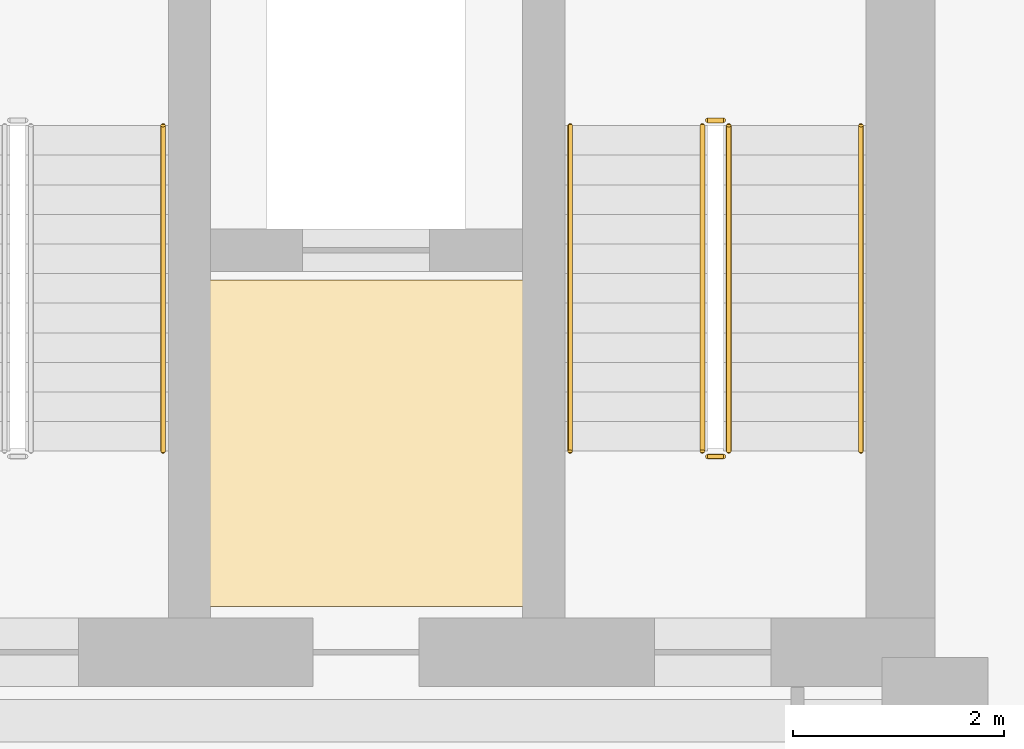
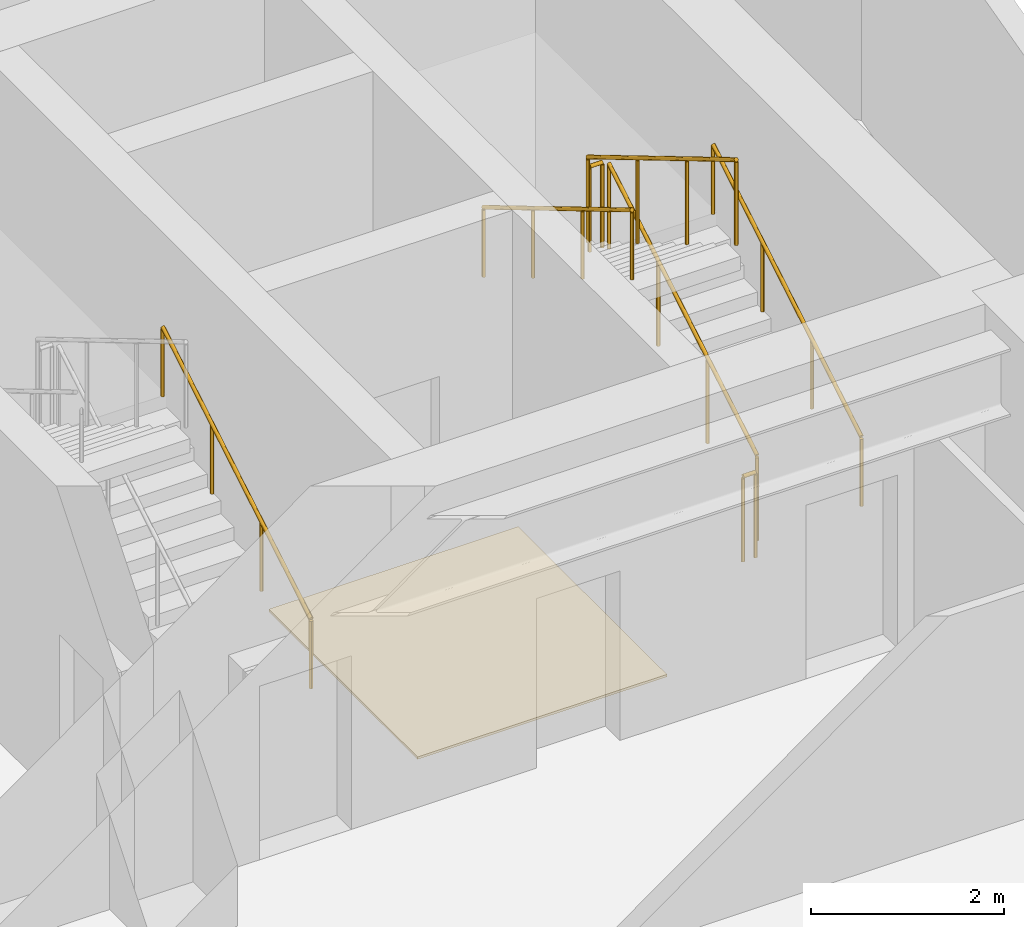
# One storey, part 26 of 26: 7 railings, 1 covering.
"""IFC4 building model written with IfcOpenShell, lengths in metres."""

import ifcopenshell
import ifcopenshell.guid

model = None  # the IFC model being written
_history = None  # IfcOwnerHistory: only IFC2X3 demands one
_inside = {}  # id of a spatial element -> (the spatial element, [elements in it])
_under = {}  # id of a project, library or spatial element -> (it, [spatial elements below it])
_declared = {}  # id of a project -> (the project, [libraries it declares])
_typed = {}  # id of a type object -> (the type object, [elements of that type])
_made_of = {}  # id of a material, layer set ... -> (it, [elements and type objects made of it])


def new_model(schema):
    """Start an empty IFC model of exactly this schema.

    Asked for "IFC4X3", IfcOpenShell would pick the latest addendum, in which some entities
    have other attributes; the version numbers below select the first issue.
    IFC2X3 requires an IfcOwnerHistory on every rooted entity: one is made here for all.
    """
    global model, _history
    if schema == "IFC4X3":
        model = ifcopenshell.file(schema_version=(4, 3, 0, 0))
    else:
        model = ifcopenshell.file(schema=schema)
    _inside.clear()
    _under.clear()
    _declared.clear()
    _typed.clear()
    _made_of.clear()
    _history = None
    if model.schema == "IFC2X3":
        org = make("IfcOrganization", Name="unknown")
        user = make(
            "IfcPersonAndOrganization",
            ThePerson=make("IfcPerson", FamilyName="unknown"),
            TheOrganization=org,
        )
        app = make(
            "IfcApplication",
            ApplicationDeveloper=org,
            Version="unknown",
            ApplicationFullName="unknown",
            ApplicationIdentifier="unknown",
        )
        _history = make(
            "IfcOwnerHistory",
            OwningUser=user,
            OwningApplication=app,
            ChangeAction="ADDED",
            CreationDate=0,
        )
    return model


def make(cls, **values):
    """One entity of the class cls with the attributes given. An attribute that is None is left unset."""
    return model.create_entity(
        cls, **{name: value for name, value in values.items() if value is not None}
    )


def rooted(cls, **values):
    """An entity with a GlobalId (a new one), such as an element, a storey or a relation."""
    return make(cls, GlobalId=ifcopenshell.guid.new(), OwnerHistory=_history, **values)


def si_unit(unit_type, name, prefix=None):
    """IfcSIUnit, for example si_unit("LENGTHUNIT", "METRE", prefix="MILLI")."""
    return make("IfcSIUnit", UnitType=unit_type, Prefix=prefix, Name=name)


def assignment(units):
    """IfcUnitAssignment: the units of a project."""
    return None if units is None else make("IfcUnitAssignment", Units=units)


def point(xyz):
    """IfcCartesianPoint."""
    return None if xyz is None else make("IfcCartesianPoint", Coordinates=xyz)


def direction(xyz):
    """IfcDirection."""
    return None if xyz is None else make("IfcDirection", DirectionRatios=xyz)


def frame(location, z_axis=None, x_axis=None):
    """IfcAxis2Placement3D, a coordinate frame: its origin and axes. An axis left out is left unset."""
    return make(
        "IfcAxis2Placement3D",
        Location=point(location),
        Axis=direction(z_axis),
        RefDirection=direction(x_axis),
    )


def frame_2d(location, x_axis=None):
    """IfcAxis2Placement2D, a coordinate frame in the plane: its origin and x axis."""
    return make(
        "IfcAxis2Placement2D", Location=point(location), RefDirection=direction(x_axis)
    )


def origin():
    """The frame at (0, 0, 0) with its axes left unset."""
    return frame((0.0, 0.0, 0.0))


def origin_2d():
    """The frame at (0, 0) in the plane with its x axis left unset."""
    return frame_2d((0.0, 0.0))


def place(relative_to, where):
    """IfcLocalPlacement: puts the frame where relative to a parent placement (None: the world)."""
    return make(
        "IfcLocalPlacement", PlacementRelTo=relative_to, RelativePlacement=where
    )


def context(
    kind, dimensions, precision=None, world=None, true_north=None, identifier=None
):
    """IfcGeometricRepresentationContext, for example the 3D "Model" context."""
    return make(
        "IfcGeometricRepresentationContext",
        ContextIdentifier=identifier,
        ContextType=kind,
        CoordinateSpaceDimension=dimensions,
        Precision=precision,
        WorldCoordinateSystem=world,
        TrueNorth=true_north,
    )


def subcontext(parent, identifier, kind, view, scale=None):
    """IfcGeometricRepresentationSubContext, for example "Body" below "Model"."""
    return make(
        "IfcGeometricRepresentationSubContext",
        ContextIdentifier=identifier,
        ContextType=kind,
        ParentContext=parent,
        TargetScale=scale,
        TargetView=view,
    )


def project(units=None, contexts=None):
    """IfcProject with its units and contexts."""
    return rooted(
        "IfcProject",
        Name="project",
        RepresentationContexts=contexts,
        UnitsInContext=assignment(units),
    )


def spatial(cls, under=None, at=None, **own):
    """A site, building, storey or space (cls), placed at a placement, below another one or the project."""
    s = rooted(cls, ObjectPlacement=at, **own)
    if under is not None:
        _under.setdefault(under.id(), (under, []))[1].append(s)
    return s


def polyline(points):
    """IfcPolyline through the points."""
    return make("IfcPolyline", Points=[point(p) for p in points])


def profile(cls, at=None, kind="AREA", **sizes):
    """A parametric profile (cls). Its sizes go by their IFC names, for example OverallWidth=200.0."""
    return make(cls, ProfileType=kind, Position=at, **sizes)


def circle(**sizes):
    """IfcCircleProfileDef."""
    return profile("IfcCircleProfileDef", **sizes)


def outline(outer, holes=None, kind="AREA"):
    """IfcArbitraryClosedProfileDef: a profile drawn as a closed curve; with holes, ...WithVoids."""
    if holes is None:
        return make("IfcArbitraryClosedProfileDef", ProfileType=kind, OuterCurve=outer)
    return make(
        "IfcArbitraryProfileDefWithVoids",
        ProfileType=kind,
        OuterCurve=outer,
        InnerCurves=holes,
    )


def extrude(swept, where, along, depth):
    """IfcExtrudedAreaSolid: the profile swept, set in the frame where, extruded along a direction by depth."""
    return make(
        "IfcExtrudedAreaSolid",
        SweptArea=swept,
        Position=where,
        ExtrudedDirection=direction(along),
        Depth=depth,
    )


def shape(context_of_items, identifier, shape_type, items):
    """IfcShapeRepresentation: the items that make up one representation, for example the "Body"."""
    return make(
        "IfcShapeRepresentation",
        ContextOfItems=context_of_items,
        RepresentationIdentifier=identifier,
        RepresentationType=shape_type,
        Items=items,
    )


def material(Name=None, Category=None):
    """IfcMaterial."""
    return make("IfcMaterial", Name=Name, Category=Category)


def layer(
    of_material, thickness, ventilated=None, Name=None, Category=None, Priority=None
):
    """IfcMaterialLayer: one layer of a wall or slab, of a material (None: an air gap)."""
    return make(
        "IfcMaterialLayer",
        Material=of_material,
        LayerThickness=thickness,
        IsVentilated=ventilated,
        Name=Name,
        Category=Category,
        Priority=Priority,
    )


def layer_set(layers, Name=None):
    """IfcMaterialLayerSet."""
    return make("IfcMaterialLayerSet", MaterialLayers=layers, LayerSetName=Name)


def made_of(thing, what):
    """Note that an element or type object is made of a material, layer set ...; save() writes the relation."""
    if what is not None:
        _made_of.setdefault(what.id(), (what, []))[1].append(thing)
    return thing


def type_object(cls, material=None, **own):
    """A type object (cls), such as IfcWallType, which elements share."""
    return made_of(rooted(cls, **own), material)


def element(
    cls,
    number,
    at=None,
    inside=None,
    cuts=None,
    type_object=None,
    material=None,
    context=None,
    identifier="Body",
    shape_type=None,
    held_by="IfcProductDefinitionShape",
    body=None,
    shapes=None,
    **own,
):
    """One element of the class cls, such as IfcWall. Its Tag is "e" and its number.

    at: its placement. inside: the storey or other place that contains it. cuts: it is an
    opening in that element (IfcRelVoidsElement). A single representation is given by context,
    identifier, shape_type and body (its items); several are given by shapes. held_by: the class
    of the entity that holds the representations. save() writes the other relations.
    """
    e = rooted(cls, Tag="e%d" % number, ObjectPlacement=at, **own)
    if body is not None:
        shapes = [shape(context, identifier, shape_type, body)]
    if shapes is not None:
        e.Representation = make(held_by, Representations=shapes)
    if inside is not None:
        _inside.setdefault(inside.id(), (inside, []))[1].append(e)
    if cuts is not None:
        rooted(
            "IfcRelVoidsElement", RelatingBuildingElement=cuts, RelatedOpeningElement=e
        )
    if type_object is not None:
        _typed.setdefault(type_object.id(), (type_object, []))[1].append(e)
    return made_of(e, material)


def aggregate(whole, parts):
    """IfcRelAggregates: a whole, such as a stair, and the parts it consists of."""
    return rooted("IfcRelAggregates", RelatingObject=whole, RelatedObjects=parts)


def save(model, path):
    """Write the relations noted so far, then the file.

    IfcRelAggregates (storeys below a building ...), IfcRelContainedInSpatialStructure (elements
    in a storey), IfcRelDefinesByType, IfcRelAssociatesMaterial and IfcRelDeclares: one each for
    every whole, place, type object, material and project.
    """
    for whole, parts in _under.values():
        aggregate(whole, parts)
    for where, things in _inside.values():
        rooted(
            "IfcRelContainedInSpatialStructure",
            RelatedElements=things,
            RelatingStructure=where,
        )
    for kind, things in _typed.values():
        rooted("IfcRelDefinesByType", RelatedObjects=things, RelatingType=kind)
    for what, things in _made_of.values():
        rooted("IfcRelAssociatesMaterial", RelatedObjects=things, RelatingMaterial=what)
    for by, libraries in _declared.values():
        rooted("IfcRelDeclares", RelatingContext=by, RelatedDefinitions=libraries)
    model.write(path)


model = new_model("IFC4")

# Units and contexts
model_context = context("Model", 3, precision=1e-05, world=origin(), true_north=direction((0.0, 1.0)))
body_context = subcontext(model_context, "Body", "Model", "MODEL_VIEW")
ifc_project = project(units=[si_unit("LENGTHUNIT", "METRE"), si_unit("AREAUNIT", "SQUARE_METRE"), si_unit("VOLUMEUNIT", "CUBIC_METRE"), si_unit("PLANEANGLEUNIT", "RADIAN"), si_unit("MASSUNIT", "GRAM", prefix="KILO")], contexts=[model_context])

# Site, building, storey
site_placement = place(None, origin())
site = spatial("IfcSite", under=ifc_project, at=site_placement, CompositionType="ELEMENT")
building_placement = place(site_placement, origin())
building = spatial("IfcBuilding", under=site, at=building_placement, Name="Kravanh Interchange Tower", CompositionType="ELEMENT")
storey_placement = place(building_placement, frame((0.0, 0.0, 124.0)))
storey = spatial("IfcBuildingStorey", under=building, at=storey_placement, Name="L29", CompositionType="ELEMENT", Elevation=124.0)

# Covering
ifc_material_1 = material(Name="Cementitious Terrazzo Tile")
ifc_layer_1 = layer(ifc_material_1, 0.030029296875)
ifc_layer_set_1 = layer_set([ifc_layer_1], Name="Honed Terrazzo Lobby Flooring 30mm")
covering_type = type_object("IfcCoveringType", Name="Honed Terrazzo Lobby Flooring 30mm", PredefinedType="FLOORING", material=ifc_layer_set_1)
covering_placement = place(storey_placement, origin())
element("IfcCovering", 1, at=covering_placement, inside=storey, type_object=covering_type, Name="L29 Service Lift Lobby Floor Finish", PredefinedType="FLOORING", context=body_context, shape_type="SweptSolid", body=[
    extrude(outline(polyline([(59.6298828125, 41.52001953125), (62.6201171875, 41.52001953125), (62.6201171875, 38.429931640625), (59.6298828125, 38.429931640625), (59.6298828125, 41.52001953125)])), origin(), (0.0, 0.0, 1.0), 0.030029296875),
])

# Railings
ifc_material_2 = material(Name="Structural Steel S355", Category="steel")
ifc_layer_2 = layer(ifc_material_2, 0.050048828125)
ifc_layer_set_2 = layer_set([ifc_layer_2], Name="Stair Well Guardrail Structural Steel S355 1100mm")
railing_type_1 = type_object("IfcRailingType", Name="Stair Well Guardrail Structural Steel S355 1100mm", PredefinedType="GUARDRAIL", material=ifc_layer_set_2)
railing_1_placement = place(storey_placement, frame((64.550048828125, 39.89990234375, 0.166748046875)))
element("IfcRailing", 2, at=railing_1_placement, inside=storey, type_object=railing_type_1, Name="L29 ST1 stair guard 1", PredefinedType="GUARDRAIL", context=body_context, shape_type="SweptSolid", body=[
    extrude(circle(Radius=0.02392578125, at=origin_2d()), frame((0.0, 0.0, 1.076171875), z_axis=(0.0, 0.859308565015, 0.511457515432), x_axis=(-1.0, 0.0, 0.0)), (0.0, 0.0, 1.0), 3.58447265625),
    extrude(circle(Radius=0.02099609375, at=origin_2d()), origin(), (0.0, 0.0, 1.0), 1.052001953125),
    extrude(circle(Radius=0.02099609375, at=origin_2d()), frame((0.0, 1.026611328125, 0.611083984375)), (0.0, 0.0, 1.0), 1.052001953125),
    extrude(circle(Radius=0.02099609375, at=origin_2d()), frame((0.0, 2.053466796875, 1.22216796875)), (0.0, 0.0, 1.0), 1.052001953125),
    extrude(circle(Radius=0.02099609375, at=origin_2d()), frame((0.0, 3.080078125, 1.833251953125)), (0.0, 0.0, 1.0), 1.052001953125),
])
railing_2_placement = place(storey_placement, frame((64.5, 43.030029296875, 2.0)))
element("IfcRailing", 3, at=railing_2_placement, inside=storey, type_object=railing_type_1, Name="L29 ST1 stair guard 2", PredefinedType="GUARDRAIL", context=body_context, shape_type="SweptSolid", body=[
    extrude(circle(Radius=0.02392578125, at=origin_2d()), frame((0.0, 0.0, 1.076171875), z_axis=(-1.0, 0.0, 0.0), x_axis=(0.0, -1.0, 0.0)), (0.0, 0.0, 1.0), 0.14990234375),
    extrude(circle(Radius=0.02099609375, at=origin_2d()), origin(), (0.0, 0.0, 1.0), 1.052001953125),
    extrude(circle(Radius=0.02099609375, at=origin_2d()), frame((-0.14990234375, 0.0, 0.0)), (0.0, 0.0, 1.0), 1.052001953125),
])
railing_3_placement = place(storey_placement, frame((64.300048828125, 42.97998046875, 2.166748046875)))
element("IfcRailing", 4, at=railing_3_placement, inside=storey, type_object=railing_type_1, Name="L29 ST1 stair guard 3", PredefinedType="GUARDRAIL", context=body_context, shape_type="SweptSolid", body=[
    extrude(circle(Radius=0.02392578125, at=origin_2d()), frame((0.0, 0.0, 1.076171875), z_axis=(0.0, -0.859308565015, 0.511457515432), x_axis=(1.0, 0.0, 0.0)), (0.0, 0.0, 1.0), 3.58447265625),
    extrude(circle(Radius=0.02099609375, at=origin_2d()), origin(), (0.0, 0.0, 1.0), 1.052001953125),
    extrude(circle(Radius=0.02099609375, at=origin_2d()), frame((0.0, -1.026611328125, 0.611083984375)), (0.0, 0.0, 1.0), 1.052001953125),
    extrude(circle(Radius=0.02099609375, at=origin_2d()), frame((0.0, -2.053466796875, 1.22216796875)), (0.0, 0.0, 1.0), 1.052001953125),
    extrude(circle(Radius=0.02099609375, at=origin_2d()), frame((0.0, -3.080078125, 1.833251953125)), (0.0, 0.0, 1.0), 1.052001953125),
])
railing_4_placement = place(storey_placement, frame((64.5, 39.85009765625, 0.0)))
element("IfcRailing", 5, at=railing_4_placement, inside=storey, type_object=railing_type_1, Name="L29 ST1 stair guard 4", PredefinedType="GUARDRAIL", context=body_context, shape_type="SweptSolid", body=[
    extrude(circle(Radius=0.02392578125, at=origin_2d()), frame((0.0, 0.0, 1.076171875), z_axis=(-1.0, 0.0, 0.0), x_axis=(0.0, -1.0, 0.0)), (0.0, 0.0, 1.0), 0.14990234375),
    extrude(circle(Radius=0.02099609375, at=origin_2d()), origin(), (0.0, 0.0, 1.0), 1.052001953125),
    extrude(circle(Radius=0.02099609375, at=origin_2d()), frame((-0.14990234375, 0.0, 0.0)), (0.0, 0.0, 1.0), 1.052001953125),
])
ifc_material_3 = material(Name="Stainless Steel 304", Category="steel")
ifc_layer_3 = layer(ifc_material_3, 0.044921875)
ifc_layer_set_3 = layer_set([ifc_layer_3], Name="Tubular Stair Handrail Stainless 304 900mm")
railing_type_2 = type_object("IfcRailingType", Name="Tubular Stair Handrail Stainless 304 900mm", PredefinedType="HANDRAIL", material=ifc_layer_set_3)
railing_5_placement = place(storey_placement, frame((65.800048828125, 39.89990234375, 0.166748046875)))
element("IfcRailing", 6, at=railing_5_placement, inside=storey, type_object=railing_type_2, Name="L29 ST1 stair handrail 1", PredefinedType="HANDRAIL", context=body_context, shape_type="SweptSolid", body=[
    extrude(circle(Radius=0.02392578125, at=origin_2d()), frame((0.0, 0.0, 0.8759765625), z_axis=(0.0, 0.859308565015, 0.511457515432), x_axis=(-1.0, 0.0, 0.0)), (0.0, 0.0, 1.0), 3.58447265625),
    extrude(circle(Radius=0.02099609375, at=origin_2d()), origin(), (0.0, 0.0, 1.0), 0.851806640625),
    extrude(circle(Radius=0.02099609375, at=origin_2d()), frame((0.0, 1.026611328125, 0.611083984375)), (0.0, 0.0, 1.0), 0.851806640625),
    extrude(circle(Radius=0.02099609375, at=origin_2d()), frame((0.0, 2.053466796875, 1.22216796875)), (0.0, 0.0, 1.0), 0.851806640625),
    extrude(circle(Radius=0.02099609375, at=origin_2d()), frame((0.0, 3.080078125, 1.833251953125)), (0.0, 0.0, 1.0), 0.851806640625),
])
railing_6_placement = place(storey_placement, frame((63.050048828125, 42.97998046875, 2.166748046875)))
element("IfcRailing", 7, at=railing_6_placement, inside=storey, type_object=railing_type_2, Name="L29 ST1 stair handrail 2", PredefinedType="HANDRAIL", context=body_context, shape_type="SweptSolid", body=[
    extrude(circle(Radius=0.02392578125, at=origin_2d()), frame((0.0, 0.0, 0.8759765625), z_axis=(0.0, -0.859308565015, 0.511457515432), x_axis=(1.0, 0.0, 0.0)), (0.0, 0.0, 1.0), 3.58447265625),
    extrude(circle(Radius=0.02099609375, at=origin_2d()), origin(), (0.0, 0.0, 1.0), 0.851806640625),
    extrude(circle(Radius=0.02099609375, at=origin_2d()), frame((0.0, -1.026611328125, 0.611083984375)), (0.0, 0.0, 1.0), 0.851806640625),
    extrude(circle(Radius=0.02099609375, at=origin_2d()), frame((0.0, -2.053466796875, 1.22216796875)), (0.0, 0.0, 1.0), 0.851806640625),
    extrude(circle(Radius=0.02099609375, at=origin_2d()), frame((0.0, -3.080078125, 1.833251953125)), (0.0, 0.0, 1.0), 0.851806640625),
])
railing_7_placement = place(storey_placement, frame((59.199951171875, 39.89990234375, 0.166748046875)))
element("IfcRailing", 8, at=railing_7_placement, inside=storey, type_object=railing_type_2, Name="L29 ST2 stair handrail 1", PredefinedType="HANDRAIL", context=body_context, shape_type="SweptSolid", body=[
    extrude(circle(Radius=0.02392578125, at=origin_2d()), frame((0.0, 0.0, 0.8759765625), z_axis=(0.0, 0.859308565015, 0.511457515432), x_axis=(-1.0, 0.0, 0.0)), (0.0, 0.0, 1.0), 3.58447265625),
    extrude(circle(Radius=0.02099609375, at=origin_2d()), origin(), (0.0, 0.0, 1.0), 0.851806640625),
    extrude(circle(Radius=0.02099609375, at=origin_2d()), frame((0.0, 1.026611328125, 0.611083984375)), (0.0, 0.0, 1.0), 0.851806640625),
    extrude(circle(Radius=0.02099609375, at=origin_2d()), frame((0.0, 2.053466796875, 1.22216796875)), (0.0, 0.0, 1.0), 0.851806640625),
    extrude(circle(Radius=0.02099609375, at=origin_2d()), frame((0.0, 3.080078125, 1.833251953125)), (0.0, 0.0, 1.0), 0.851806640625),
])

save(model, "model.ifc")
